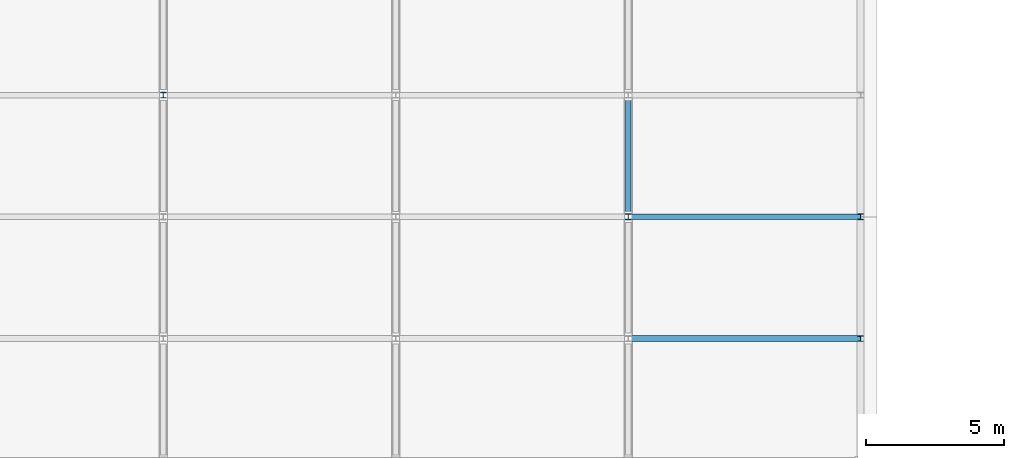
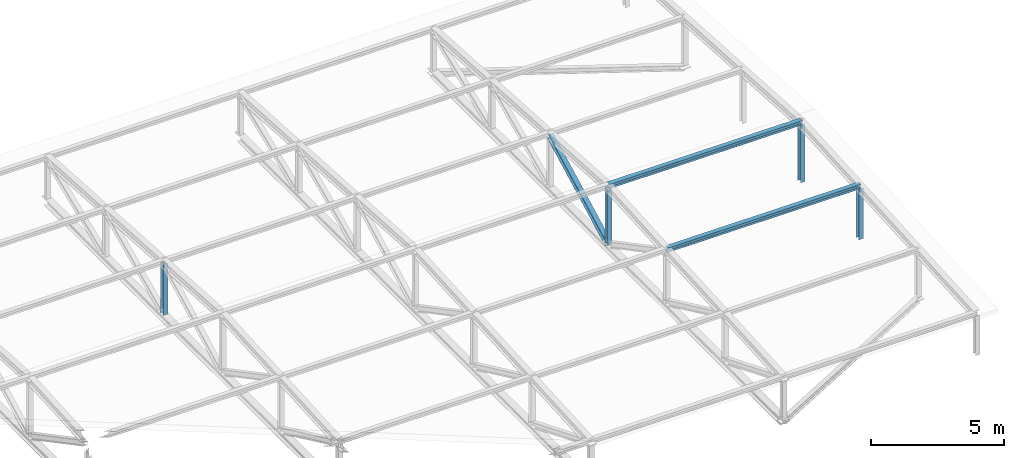
# One storey, part 18 of 49: 7 members.
"""IFC4 building model written with IfcOpenShell, lengths in metres."""

import ifcopenshell
import ifcopenshell.guid

model = None  # the IFC model being written
_history = None  # IfcOwnerHistory: only IFC2X3 demands one
_inside = {}  # id of a spatial element -> (the spatial element, [elements in it])
_under = {}  # id of a project, library or spatial element -> (it, [spatial elements below it])
_declared = {}  # id of a project -> (the project, [libraries it declares])
_typed = {}  # id of a type object -> (the type object, [elements of that type])
_made_of = {}  # id of a material, layer set ... -> (it, [elements and type objects made of it])


def new_model(schema):
    """Start an empty IFC model of exactly this schema.

    Asked for "IFC4X3", IfcOpenShell would pick the latest addendum, in which some entities
    have other attributes; the version numbers below select the first issue.
    IFC2X3 requires an IfcOwnerHistory on every rooted entity: one is made here for all.
    """
    global model, _history
    if schema == "IFC4X3":
        model = ifcopenshell.file(schema_version=(4, 3, 0, 0))
    else:
        model = ifcopenshell.file(schema=schema)
    _inside.clear()
    _under.clear()
    _declared.clear()
    _typed.clear()
    _made_of.clear()
    _history = None
    if model.schema == "IFC2X3":
        org = make("IfcOrganization", Name="unknown")
        user = make(
            "IfcPersonAndOrganization",
            ThePerson=make("IfcPerson", FamilyName="unknown"),
            TheOrganization=org,
        )
        app = make(
            "IfcApplication",
            ApplicationDeveloper=org,
            Version="unknown",
            ApplicationFullName="unknown",
            ApplicationIdentifier="unknown",
        )
        _history = make(
            "IfcOwnerHistory",
            OwningUser=user,
            OwningApplication=app,
            ChangeAction="ADDED",
            CreationDate=0,
        )
    return model


def make(cls, **values):
    """One entity of the class cls with the attributes given. An attribute that is None is left unset."""
    return model.create_entity(
        cls, **{name: value for name, value in values.items() if value is not None}
    )


def rooted(cls, **values):
    """An entity with a GlobalId (a new one), such as an element, a storey or a relation."""
    return make(cls, GlobalId=ifcopenshell.guid.new(), OwnerHistory=_history, **values)


def si_unit(unit_type, name, prefix=None):
    """IfcSIUnit, for example si_unit("LENGTHUNIT", "METRE", prefix="MILLI")."""
    return make("IfcSIUnit", UnitType=unit_type, Prefix=prefix, Name=name)


def assignment(units):
    """IfcUnitAssignment: the units of a project."""
    return None if units is None else make("IfcUnitAssignment", Units=units)


def point(xyz):
    """IfcCartesianPoint."""
    return None if xyz is None else make("IfcCartesianPoint", Coordinates=xyz)


def direction(xyz):
    """IfcDirection."""
    return None if xyz is None else make("IfcDirection", DirectionRatios=xyz)


def frame(location, z_axis=None, x_axis=None):
    """IfcAxis2Placement3D, a coordinate frame: its origin and axes. An axis left out is left unset."""
    return make(
        "IfcAxis2Placement3D",
        Location=point(location),
        Axis=direction(z_axis),
        RefDirection=direction(x_axis),
    )


def frame_2d(location, x_axis=None):
    """IfcAxis2Placement2D, a coordinate frame in the plane: its origin and x axis."""
    return make(
        "IfcAxis2Placement2D", Location=point(location), RefDirection=direction(x_axis)
    )


def origin():
    """The frame at (0, 0, 0) with its axes left unset."""
    return frame((0.0, 0.0, 0.0))


def origin_2d():
    """The frame at (0, 0) in the plane with its x axis left unset."""
    return frame_2d((0.0, 0.0))


def place(relative_to, where):
    """IfcLocalPlacement: puts the frame where relative to a parent placement (None: the world)."""
    return make(
        "IfcLocalPlacement", PlacementRelTo=relative_to, RelativePlacement=where
    )


def context(
    kind, dimensions, precision=None, world=None, true_north=None, identifier=None
):
    """IfcGeometricRepresentationContext, for example the 3D "Model" context."""
    return make(
        "IfcGeometricRepresentationContext",
        ContextIdentifier=identifier,
        ContextType=kind,
        CoordinateSpaceDimension=dimensions,
        Precision=precision,
        WorldCoordinateSystem=world,
        TrueNorth=true_north,
    )


def subcontext(parent, identifier, kind, view, scale=None):
    """IfcGeometricRepresentationSubContext, for example "Body" below "Model"."""
    return make(
        "IfcGeometricRepresentationSubContext",
        ContextIdentifier=identifier,
        ContextType=kind,
        ParentContext=parent,
        TargetScale=scale,
        TargetView=view,
    )


def project(units=None, contexts=None):
    """IfcProject with its units and contexts."""
    return rooted(
        "IfcProject",
        Name="project",
        RepresentationContexts=contexts,
        UnitsInContext=assignment(units),
    )


def spatial(cls, under=None, at=None, **own):
    """A site, building, storey or space (cls), placed at a placement, below another one or the project."""
    s = rooted(cls, ObjectPlacement=at, **own)
    if under is not None:
        _under.setdefault(under.id(), (under, []))[1].append(s)
    return s


def profile(cls, at=None, kind="AREA", **sizes):
    """A parametric profile (cls). Its sizes go by their IFC names, for example OverallWidth=200.0."""
    return make(cls, ProfileType=kind, Position=at, **sizes)


def i_section(**sizes):
    """IfcIShapeProfileDef."""
    return profile("IfcIShapeProfileDef", **sizes)


def extrude(swept, where, along, depth):
    """IfcExtrudedAreaSolid: the profile swept, set in the frame where, extruded along a direction by depth."""
    return make(
        "IfcExtrudedAreaSolid",
        SweptArea=swept,
        Position=where,
        ExtrudedDirection=direction(along),
        Depth=depth,
    )


def shape(context_of_items, identifier, shape_type, items):
    """IfcShapeRepresentation: the items that make up one representation, for example the "Body"."""
    return make(
        "IfcShapeRepresentation",
        ContextOfItems=context_of_items,
        RepresentationIdentifier=identifier,
        RepresentationType=shape_type,
        Items=items,
    )


def material(Name=None, Category=None):
    """IfcMaterial."""
    return make("IfcMaterial", Name=Name, Category=Category)


def material_profile(
    of_material, cross_section, Name=None, Category=None, Priority=None
):
    """IfcMaterialProfile: a cross section and its material."""
    return make(
        "IfcMaterialProfile",
        Name=Name,
        Material=of_material,
        Profile=cross_section,
        Priority=Priority,
        Category=Category,
    )


def profile_set(profiles, Name=None, composite=None):
    """IfcMaterialProfileSet."""
    return make(
        "IfcMaterialProfileSet",
        Name=Name,
        MaterialProfiles=profiles,
        CompositeProfile=composite,
    )


def made_of(thing, what):
    """Note that an element or type object is made of a material, layer set ...; save() writes the relation."""
    if what is not None:
        _made_of.setdefault(what.id(), (what, []))[1].append(thing)
    return thing


def type_object(cls, material=None, **own):
    """A type object (cls), such as IfcWallType, which elements share."""
    return made_of(rooted(cls, **own), material)


def element(
    cls,
    number,
    at=None,
    inside=None,
    cuts=None,
    type_object=None,
    material=None,
    context=None,
    identifier="Body",
    shape_type=None,
    held_by="IfcProductDefinitionShape",
    body=None,
    shapes=None,
    **own,
):
    """One element of the class cls, such as IfcWall. Its Tag is "e" and its number.

    at: its placement. inside: the storey or other place that contains it. cuts: it is an
    opening in that element (IfcRelVoidsElement). A single representation is given by context,
    identifier, shape_type and body (its items); several are given by shapes. held_by: the class
    of the entity that holds the representations. save() writes the other relations.
    """
    e = rooted(cls, Tag="e%d" % number, ObjectPlacement=at, **own)
    if body is not None:
        shapes = [shape(context, identifier, shape_type, body)]
    if shapes is not None:
        e.Representation = make(held_by, Representations=shapes)
    if inside is not None:
        _inside.setdefault(inside.id(), (inside, []))[1].append(e)
    if cuts is not None:
        rooted(
            "IfcRelVoidsElement", RelatingBuildingElement=cuts, RelatedOpeningElement=e
        )
    if type_object is not None:
        _typed.setdefault(type_object.id(), (type_object, []))[1].append(e)
    return made_of(e, material)


def aggregate(whole, parts):
    """IfcRelAggregates: a whole, such as a stair, and the parts it consists of."""
    return rooted("IfcRelAggregates", RelatingObject=whole, RelatedObjects=parts)


def save(model, path):
    """Write the relations noted so far, then the file.

    IfcRelAggregates (storeys below a building ...), IfcRelContainedInSpatialStructure (elements
    in a storey), IfcRelDefinesByType, IfcRelAssociatesMaterial and IfcRelDeclares: one each for
    every whole, place, type object, material and project.
    """
    for whole, parts in _under.values():
        aggregate(whole, parts)
    for where, things in _inside.values():
        rooted(
            "IfcRelContainedInSpatialStructure",
            RelatedElements=things,
            RelatingStructure=where,
        )
    for kind, things in _typed.values():
        rooted("IfcRelDefinesByType", RelatedObjects=things, RelatingType=kind)
    for what, things in _made_of.values():
        rooted("IfcRelAssociatesMaterial", RelatedObjects=things, RelatingMaterial=what)
    for by, libraries in _declared.values():
        rooted("IfcRelDeclares", RelatingContext=by, RelatedDefinitions=libraries)
    model.write(path)


model = new_model("IFC4")

# Units and contexts
model_context = context("Model", 3, precision=1e-05, world=origin(), true_north=direction((0.0, 1.0)))
body_context = subcontext(model_context, "Body", "Model", "MODEL_VIEW")
ifc_project = project(units=[si_unit("LENGTHUNIT", "METRE"), si_unit("AREAUNIT", "SQUARE_METRE"), si_unit("VOLUMEUNIT", "CUBIC_METRE"), si_unit("PLANEANGLEUNIT", "RADIAN"), si_unit("MASSUNIT", "GRAM", prefix="KILO")], contexts=[model_context])

# Site, building, storey
site_placement = place(None, origin())
site = spatial("IfcSite", under=ifc_project, at=site_placement, CompositionType="ELEMENT")
building_placement = place(site_placement, origin())
building = spatial("IfcBuilding", under=site, at=building_placement, Name="Kemercrest Conservatory and Botanical Centre", CompositionType="ELEMENT")
storey_placement = place(building_placement, frame((0.0, 0.0, 13.199951171875)))
storey = spatial("IfcBuildingStorey", under=building, at=storey_placement, Name="L03", CompositionType="ELEMENT", Elevation=13.199951171875)

# Members
ifc_material = material(Name="Steel CSA G40.21 350W", Category="steel")
ifc_material_profile_1 = material_profile(ifc_material, i_section(OverallWidth=0.202880859375, OverallDepth=0.202880859375, WebThickness=0.007080078125, FlangeThickness=0.010986328125, FilletRadius=0.010009765625, at=origin_2d()), Name="W200X46")
ifc_profile_set_1 = profile_set([ifc_material_profile_1], Name="Steel CSA G40.21 350W")
member_type_1 = type_object("IfcMemberType", Name="PR-W200", PredefinedType="PURLIN", material=ifc_profile_set_1)
for number, where, z_axis, x_axis, name in (
    (1, (92.0, 25.60009765625, 2.413330078125), (1.0, 0.0, 0.0), (0.0, 1.0, 0.0), "Auditorium roof purlin P2"),
    (2, (92.0, 30.0, 2.679931640625), (1.0, 0.0, 0.0), (0.0, 1.0, 0.0), "Auditorium roof purlin P3"),
):
    element("IfcMember", number, at=place(storey_placement, frame(where, z_axis=z_axis, x_axis=x_axis)), inside=storey, type_object=member_type_1, Name=name, PredefinedType="PURLIN", context=body_context, shape_type="SweptSolid", body=[
        extrude(i_section(OverallWidth=0.202880859375, OverallDepth=0.202880859375, WebThickness=0.007080078125, FlangeThickness=0.010986328125, FilletRadius=0.010009765625, at=origin_2d()), origin(), (0.0, 0.0, 1.0), 8.39990234375),
    ])
ifc_material_profile_2 = material_profile(ifc_material, i_section(OverallWidth=0.202880859375, OverallDepth=0.202880859375, WebThickness=0.007080078125, FlangeThickness=0.010986328125, FilletRadius=0.010009765625, at=origin_2d()), Name="W200X46")
ifc_profile_set_2 = profile_set([ifc_material_profile_2], Name="Steel CSA G40.21 350W")
member_type_2 = type_object("IfcMemberType", Name="TR-VRT200", PredefinedType="BRACE", material=ifc_profile_set_2)
member_1_placement = place(storey_placement, frame((75.199951171875, 34.39990234375, -0.014892578125), z_axis=(0.0, 0.0, 1.0), x_axis=(1.0, 0.0, 0.0)))
element("IfcMember", 3, at=member_1_placement, inside=storey, type_object=member_type_2, Name="Auditorium Roof Truss Vertical Strut 09-V4", PredefinedType="BRACE", context=body_context, shape_type="SweptSolid", body=[
    extrude(i_section(OverallWidth=0.202880859375, OverallDepth=0.202880859375, WebThickness=0.007080078125, FlangeThickness=0.010986328125, FilletRadius=0.010009765625, at=origin_2d()), origin(), (0.0, 0.0, 1.0), 2.34814453125),
])
member_2_placement = place(storey_placement, frame((92.0, 30.0, -0.014892578125), z_axis=(0.0, 0.0, 1.0), x_axis=(1.0, 0.0, 0.0)))
element("IfcMember", 4, at=member_2_placement, inside=storey, type_object=member_type_2, Name="Auditorium Roof Truss Vertical Strut 11-V3", PredefinedType="BRACE", context=body_context, shape_type="SweptSolid", body=[
    extrude(i_section(OverallWidth=0.202880859375, OverallDepth=0.202880859375, WebThickness=0.007080078125, FlangeThickness=0.010986328125, FilletRadius=0.010009765625, at=origin_2d()), origin(), (0.0, 0.0, 1.0), 2.614990234375),
])
member_3_placement = place(storey_placement, frame((100.39990234375, 25.60009765625, -0.014892578125), z_axis=(0.0, 0.0, 1.0), x_axis=(1.0, 0.0, 0.0)))
element("IfcMember", 5, at=member_3_placement, inside=storey, type_object=member_type_2, Name="Auditorium Gable Post Strut 12-V2", PredefinedType="BRACE", context=body_context, shape_type="SweptSolid", body=[
    extrude(i_section(OverallWidth=0.202880859375, OverallDepth=0.202880859375, WebThickness=0.007080078125, FlangeThickness=0.010986328125, FilletRadius=0.010009765625, at=origin_2d()), origin(), (0.0, 0.0, 1.0), 2.34814453125),
])
member_4_placement = place(storey_placement, frame((100.39990234375, 30.0, -0.06005859375), z_axis=(0.0, 0.0, 1.0), x_axis=(1.0, 0.0, 0.0)))
element("IfcMember", 6, at=member_4_placement, inside=storey, type_object=member_type_2, Name="Auditorium Gable Post Strut 12-V3", PredefinedType="BRACE", context=body_context, shape_type="SweptSolid", body=[
    extrude(i_section(OverallWidth=0.202880859375, OverallDepth=0.202880859375, WebThickness=0.007080078125, FlangeThickness=0.010986328125, FilletRadius=0.010009765625, at=origin_2d()), origin(), (0.0, 0.0, 1.0), 2.66015625),
])
ifc_material_profile_3 = material_profile(ifc_material, i_section(OverallWidth=0.202880859375, OverallDepth=0.251953125, WebThickness=0.008056640625, FlangeThickness=0.013427734375, FilletRadius=0.010986328125, at=origin_2d()), Name="W250X58")
ifc_profile_set_3 = profile_set([ifc_material_profile_3], Name="Steel CSA G40.21 350W")
member_type_3 = type_object("IfcMemberType", Name="TR-WEB250", PredefinedType="BRACE", material=ifc_profile_set_3)
member_5_placement = place(storey_placement, frame((92.0, 30.0, -0.014892578125), z_axis=(0.0, 0.883890492112, 0.467693914814), x_axis=(-1.0, 0.0, 0.0)))
element("IfcMember", 7, at=member_5_placement, inside=storey, type_object=member_type_3, Name="Auditorium Roof Truss Web Diagonal 11-D3", PredefinedType="BRACE", context=body_context, shape_type="SweptSolid", body=[
    extrude(i_section(OverallWidth=0.202880859375, OverallDepth=0.251953125, WebThickness=0.008056640625, FlangeThickness=0.013427734375, FilletRadius=0.010986328125, at=origin_2d()), origin(), (0.0, 0.0, 1.0), 4.977783203125),
])

save(model, "model.ifc")
